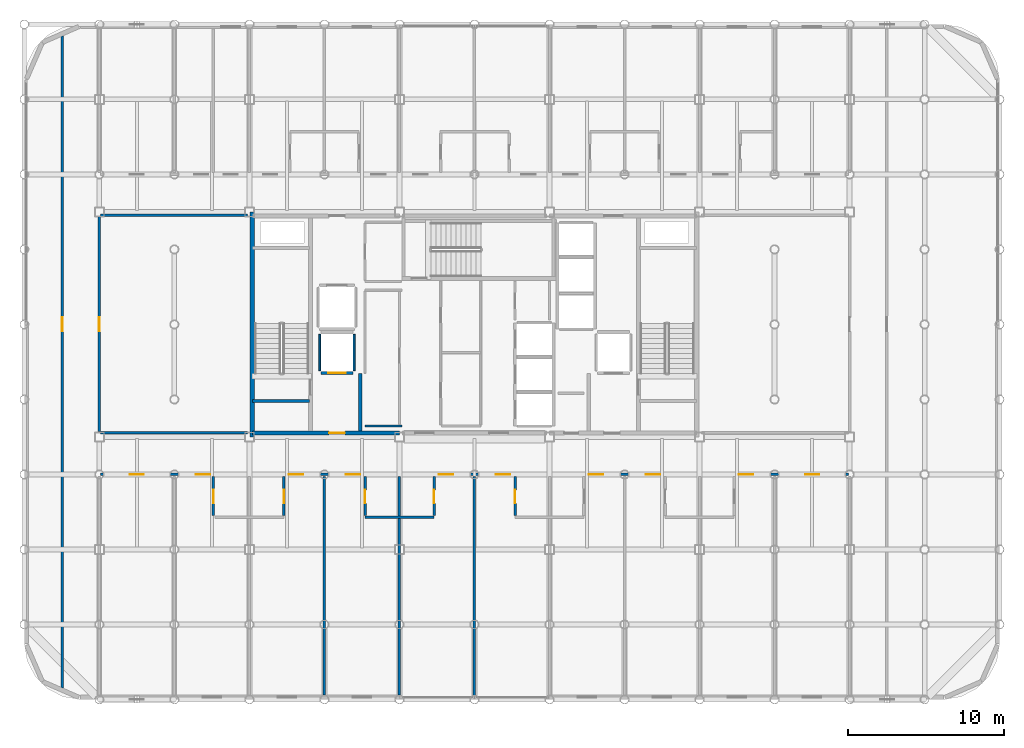
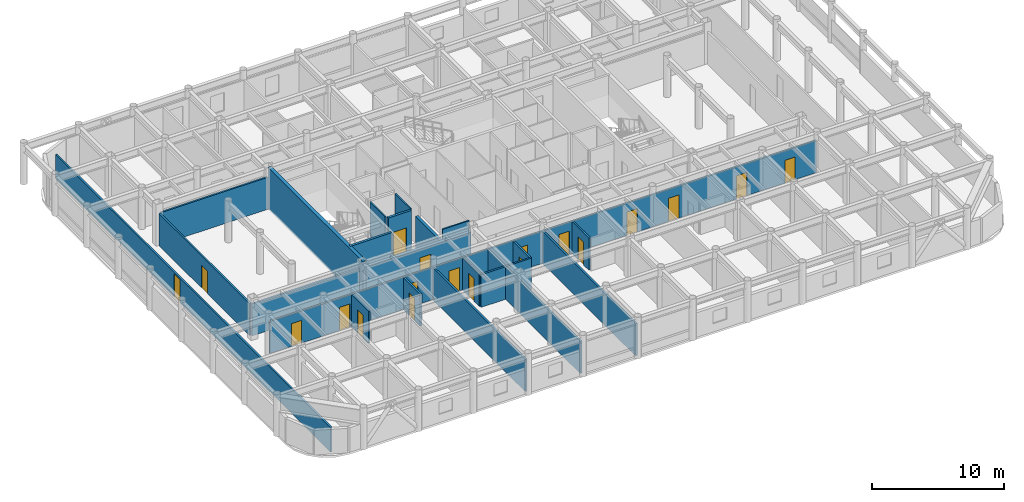
# One storey, part 17 of 22: 22 walls, 19 doors, 19 openings.
"""IFC4 building model written with IfcOpenShell, lengths in metres."""

from ifc_helpers import new_model, si_unit, direction, frame, frame_2d, origin, place, context, subcontext, project, spatial, rectangle, extrude, material, layer, layer_set, type_object, element, fill, save


model = new_model("IFC4")

# Units and contexts
model_context = context("Model", 3, precision=1e-05, world=origin(), true_north=direction((0.0, 1.0)))
body_context = subcontext(model_context, "Body", "Model", "MODEL_VIEW")
ifc_project = project(units=[si_unit("LENGTHUNIT", "METRE"), si_unit("AREAUNIT", "SQUARE_METRE"), si_unit("VOLUMEUNIT", "CUBIC_METRE"), si_unit("PLANEANGLEUNIT", "RADIAN"), si_unit("MASSUNIT", "GRAM", prefix="KILO")], contexts=[model_context])

# Site, building, storey
site_placement = place(None, origin())
site = spatial("IfcSite", under=ifc_project, at=site_placement, CompositionType="ELEMENT")
building_placement = place(site_placement, origin())
building = spatial("IfcBuilding", under=site, at=building_placement, Name="Kallvorn Hotel Tower", CompositionType="ELEMENT")
storey_placement = place(building_placement, frame((0.0, 0.0, 199.199951171875)))
storey = spatial("IfcBuildingStorey", under=building, at=storey_placement, Name="L49", CompositionType="ELEMENT", Elevation=199.199951171875)

# Walls
ifc_material_1 = material(Name="Concrete C50/60", Category="concrete")
ifc_layer_1 = layer(ifc_material_1, 0.300048828125)
ifc_layer_set_1 = layer_set([ifc_layer_1], Name="WL_CORE_300")
wall_type_1 = type_object("IfcWallType", Name="WL_CORE_300", PredefinedType="SHEAR", material=ifc_layer_set_1)
wall_1_placement = place(storey_placement, frame((-14.215087890625, -7.199951171875, -0.179931640625), z_axis=(0.0, 0.0, 1.0), x_axis=(0.0, 1.0, 0.0)))
element("IfcWall", 1, at=wall_1_placement, inside=storey, type_object=wall_type_1, Name="L49 Core West Shear Wall", PredefinedType="SHEAR", context=body_context, shape_type="SweptSolid", body=[
    extrude(rectangle(XDim=14.39990234375, YDim=0.300048828125, at=frame_2d((7.199951171875, 0.0))), origin(), (0.0, 0.0, 1.0), 3.85009765625),
])
ifc_material_2 = material(Name="Fire-rated double-layer acoustic gypsum drywall EI 60")
ifc_layer_2 = layer(ifc_material_2, 0.159912109375)
ifc_layer_set_2 = layer_set([ifc_layer_2], Name="WL_DEMISE_160")
wall_type_2 = type_object("IfcWallType", Name="WL_DEMISE_160", PredefinedType="PARTITIONING", material=ifc_layer_set_2)
wall_2_placement = place(storey_placement, frame((-7.010009765625, -12.320068359375, 0.0), z_axis=(0.0, 0.0, 1.0), x_axis=(1.0, 0.0, 0.0)))
element("IfcWall", 2, at=wall_2_placement, inside=storey, type_object=wall_type_2, Name="L49 Suite 4903 Superior Twin Room Partition", PredefinedType="PARTITIONING", context=body_context, shape_type="SweptSolid", body=[
    extrude(rectangle(XDim=4.419921875, YDim=0.159912109375, at=frame_2d((2.2099609375, 0.0))), origin(), (0.0, 0.0, 1.0), 3.02001953125),
])

# Wall, openings, doors
wall_3_placement = place(storey_placement, frame((-23.919921875, -9.60009765625, 0.0), z_axis=(0.0, 0.0, 1.0), x_axis=(1.0, 0.0, 0.0)))
wall_3 = element("IfcWall", 3, at=wall_3_placement, inside=storey, type_object=wall_type_2, Name="L49 Suite 4901 Superior Twin Room Partition", PredefinedType="PARTITIONING", context=body_context, shape_type="SweptSolid", body=[
    extrude(rectangle(XDim=47.83984375, YDim=0.159912109375, at=frame_2d((23.919921875, 0.0))), origin(), (0.0, 0.0, 1.0), 2.969970703125),
])
opening_1_placement = place(wall_3_placement, frame((1.8701171875, 0.0, 0.0)))
opening_1 = element("IfcOpeningElement", 4, at=opening_1_placement, cuts=wall_3, Name="Opening SVD1", PredefinedType="OPENING", context=body_context, shape_type="SweptSolid", body=[
    extrude(rectangle(XDim=0.89990234375, YDim=2.10009765625, at=frame_2d((0.449951171875, 1.050048828125))), frame((0.0, 0.094970703125, 0.0), z_axis=(0.0, -1.0, 0.0), x_axis=(1.0, 0.0, 0.0)), (0.0, 0.0, 1.0), 0.18994140625),
])
opening_2_placement = place(wall_3_placement, frame((45.070068359375, 0.0, 0.0)))
opening_2 = element("IfcOpeningElement", 5, at=opening_2_placement, cuts=wall_3, Name="Opening SVD1", PredefinedType="OPENING", context=body_context, shape_type="SweptSolid", body=[
    extrude(rectangle(XDim=0.89990234375, YDim=2.10009765625, at=frame_2d((0.449951171875, 1.050048828125))), frame((0.0, 0.094970703125, 0.0), z_axis=(0.0, -1.0, 0.0), x_axis=(1.0, 0.0, 0.0)), (0.0, 0.0, 1.0), 0.18994140625),
])
opening_3_placement = place(wall_3_placement, frame((6.090087890625, 0.0, 0.0)))
opening_3 = element("IfcOpeningElement", 6, at=opening_3_placement, cuts=wall_3, Name="Opening GD1", PredefinedType="OPENING", context=body_context, shape_type="SweptSolid", body=[
    extrude(rectangle(XDim=0.919921875, YDim=2.14990234375, at=frame_2d((0.4599609375, 1.074951171875))), frame((0.0, 0.094970703125, 0.0), z_axis=(0.0, -1.0, 0.0), x_axis=(1.0, 0.0, 0.0)), (0.0, 0.0, 1.0), 0.18994140625),
])
opening_4_placement = place(wall_3_placement, frame((12.030029296875, 0.0, 0.0)))
opening_4 = element("IfcOpeningElement", 7, at=opening_4_placement, cuts=wall_3, Name="Opening GD1", PredefinedType="OPENING", context=body_context, shape_type="SweptSolid", body=[
    extrude(rectangle(XDim=0.919921875, YDim=2.14990234375, at=frame_2d((0.4599609375, 1.074951171875))), frame((0.0, 0.094970703125, 0.0), z_axis=(0.0, -1.0, 0.0), x_axis=(1.0, 0.0, 0.0)), (0.0, 0.0, 1.0), 0.18994140625),
])
opening_5_placement = place(wall_3_placement, frame((15.68994140625, 0.0, 0.0)))
opening_5 = element("IfcOpeningElement", 8, at=opening_5_placement, cuts=wall_3, Name="Opening GD1", PredefinedType="OPENING", context=body_context, shape_type="SweptSolid", body=[
    extrude(rectangle(XDim=0.919921875, YDim=2.14990234375, at=frame_2d((0.4599609375, 1.074951171875))), frame((0.0, 0.094970703125, 0.0), z_axis=(0.0, -1.0, 0.0), x_axis=(1.0, 0.0, 0.0)), (0.0, 0.0, 1.0), 0.18994140625),
])
opening_6_placement = place(wall_3_placement, frame((21.6298828125, 0.0, 0.0)))
opening_6 = element("IfcOpeningElement", 9, at=opening_6_placement, cuts=wall_3, Name="Opening GD1", PredefinedType="OPENING", context=body_context, shape_type="SweptSolid", body=[
    extrude(rectangle(XDim=0.919921875, YDim=2.14990234375, at=frame_2d((0.4599609375, 1.074951171875))), frame((0.0, 0.094970703125, 0.0), z_axis=(0.0, -1.0, 0.0), x_axis=(1.0, 0.0, 0.0)), (0.0, 0.0, 1.0), 0.18994140625),
])
opening_7_placement = place(wall_3_placement, frame((25.2900390625, 0.0, 0.0)))
opening_7 = element("IfcOpeningElement", 10, at=opening_7_placement, cuts=wall_3, Name="Opening GD1", PredefinedType="OPENING", context=body_context, shape_type="SweptSolid", body=[
    extrude(rectangle(XDim=0.919921875, YDim=2.14990234375, at=frame_2d((0.4599609375, 1.074951171875))), frame((0.0, 0.094970703125, 0.0), z_axis=(0.0, -1.0, 0.0), x_axis=(1.0, 0.0, 0.0)), (0.0, 0.0, 1.0), 0.18994140625),
])
opening_8_placement = place(wall_3_placement, frame((31.22998046875, 0.0, 0.0)))
opening_8 = element("IfcOpeningElement", 11, at=opening_8_placement, cuts=wall_3, Name="Opening GD1", PredefinedType="OPENING", context=body_context, shape_type="SweptSolid", body=[
    extrude(rectangle(XDim=0.919921875, YDim=2.14990234375, at=frame_2d((0.4599609375, 1.074951171875))), frame((0.0, 0.094970703125, 0.0), z_axis=(0.0, -1.0, 0.0), x_axis=(1.0, 0.0, 0.0)), (0.0, 0.0, 1.0), 0.18994140625),
])
opening_9_placement = place(wall_3_placement, frame((34.889892578125, 0.0, 0.0)))
opening_9 = element("IfcOpeningElement", 12, at=opening_9_placement, cuts=wall_3, Name="Opening GD1", PredefinedType="OPENING", context=body_context, shape_type="SweptSolid", body=[
    extrude(rectangle(XDim=0.919921875, YDim=2.14990234375, at=frame_2d((0.4599609375, 1.074951171875))), frame((0.0, 0.094970703125, 0.0), z_axis=(0.0, -1.0, 0.0), x_axis=(1.0, 0.0, 0.0)), (0.0, 0.0, 1.0), 0.18994140625),
])
opening_10_placement = place(wall_3_placement, frame((40.830078125, 0.0, 0.0)))
opening_10 = element("IfcOpeningElement", 13, at=opening_10_placement, cuts=wall_3, Name="Opening GD1", PredefinedType="OPENING", context=body_context, shape_type="SweptSolid", body=[
    extrude(rectangle(XDim=0.919921875, YDim=2.14990234375, at=frame_2d((0.4599609375, 1.074951171875))), frame((0.0, 0.094970703125, 0.0), z_axis=(0.0, -1.0, 0.0), x_axis=(1.0, 0.0, 0.0)), (0.0, 0.0, 1.0), 0.18994140625),
])
ifc_material_3 = material(Name="Solid-core walnut veneer fire-rated timber door leaf", Category="wood")
door_type_1 = type_object("IfcDoorType", Name="DR_GUEST_920x2150", OperationType="NOTDEFINED", PredefinedType="DOOR", material=ifc_material_3)
door_1_placement = place(opening_3_placement, origin())
door_1 = element("IfcDoor", 14, at=door_1_placement, inside=storey, type_object=door_type_1, Name="L49 Suite 4901 Superior Twin Room Door", OperationType="SINGLE_SWING_RIGHT", OverallHeight=2.14990234375, OverallWidth=0.919921875, PredefinedType="DOOR", context=body_context, shape_type="SweptSolid", body=[
    extrude(rectangle(XDim=0.919921875, YDim=2.14990234375, at=frame_2d((0.4599609375, 1.074951171875))), frame((0.0, 0.02490234375, 0.0), z_axis=(0.0, -1.0, 0.0), x_axis=(1.0, 0.0, 0.0)), (0.0, 0.0, 1.0), 0.050048828125),
])
fill(opening_3, door_1)
door_2_placement = place(opening_4_placement, origin())
door_2 = element("IfcDoor", 15, at=door_2_placement, inside=storey, type_object=door_type_1, Name="L49 Suite 4902 Superior Twin Room Door", OperationType="SINGLE_SWING_LEFT", OverallHeight=2.14990234375, OverallWidth=0.919921875, PredefinedType="DOOR", context=body_context, shape_type="SweptSolid", body=[
    extrude(rectangle(XDim=0.919921875, YDim=2.14990234375, at=frame_2d((0.4599609375, 1.074951171875))), frame((0.0, 0.02490234375, 0.0), z_axis=(0.0, -1.0, 0.0), x_axis=(1.0, 0.0, 0.0)), (0.0, 0.0, 1.0), 0.050048828125),
])
fill(opening_4, door_2)
door_3_placement = place(opening_5_placement, origin())
door_3 = element("IfcDoor", 16, at=door_3_placement, inside=storey, type_object=door_type_1, Name="L49 Suite 4903 Superior Twin Room Door", OperationType="SINGLE_SWING_LEFT", OverallHeight=2.14990234375, OverallWidth=0.919921875, PredefinedType="DOOR", context=body_context, shape_type="SweptSolid", body=[
    extrude(rectangle(XDim=0.919921875, YDim=2.14990234375, at=frame_2d((0.4599609375, 1.074951171875))), frame((0.0, 0.02490234375, 0.0), z_axis=(0.0, -1.0, 0.0), x_axis=(1.0, 0.0, 0.0)), (0.0, 0.0, 1.0), 0.050048828125),
])
fill(opening_5, door_3)
door_4_placement = place(opening_6_placement, origin())
door_4 = element("IfcDoor", 17, at=door_4_placement, inside=storey, type_object=door_type_1, Name="L49 Suite 4904 Superior Twin Room Door", OperationType="SINGLE_SWING_RIGHT", OverallHeight=2.14990234375, OverallWidth=0.919921875, PredefinedType="DOOR", context=body_context, shape_type="SweptSolid", body=[
    extrude(rectangle(XDim=0.919921875, YDim=2.14990234375, at=frame_2d((0.4599609375, 1.074951171875))), frame((0.0, 0.02490234375, 0.0), z_axis=(0.0, -1.0, 0.0), x_axis=(1.0, 0.0, 0.0)), (0.0, 0.0, 1.0), 0.050048828125),
])
fill(opening_6, door_4)
door_5_placement = place(opening_7_placement, origin())
door_5 = element("IfcDoor", 18, at=door_5_placement, inside=storey, type_object=door_type_1, Name="L49 Suite 4905 Superior Twin Room Door", OperationType="SINGLE_SWING_LEFT", OverallHeight=2.14990234375, OverallWidth=0.919921875, PredefinedType="DOOR", context=body_context, shape_type="SweptSolid", body=[
    extrude(rectangle(XDim=0.919921875, YDim=2.14990234375, at=frame_2d((0.4599609375, 1.074951171875))), frame((0.0, 0.02490234375, 0.0), z_axis=(0.0, -1.0, 0.0), x_axis=(1.0, 0.0, 0.0)), (0.0, 0.0, 1.0), 0.050048828125),
])
fill(opening_7, door_5)
door_6_placement = place(opening_8_placement, origin())
door_6 = element("IfcDoor", 19, at=door_6_placement, inside=storey, type_object=door_type_1, Name="L49 Suite 4906 Superior Twin Room Door", OperationType="SINGLE_SWING_RIGHT", OverallHeight=2.14990234375, OverallWidth=0.919921875, PredefinedType="DOOR", context=body_context, shape_type="SweptSolid", body=[
    extrude(rectangle(XDim=0.919921875, YDim=2.14990234375, at=frame_2d((0.4599609375, 1.074951171875))), frame((0.0, 0.02490234375, 0.0), z_axis=(0.0, -1.0, 0.0), x_axis=(1.0, 0.0, 0.0)), (0.0, 0.0, 1.0), 0.050048828125),
])
fill(opening_8, door_6)
door_7_placement = place(opening_9_placement, origin())
door_7 = element("IfcDoor", 20, at=door_7_placement, inside=storey, type_object=door_type_1, Name="L49 Suite 4907 Superior Twin Room Door", OperationType="SINGLE_SWING_LEFT", OverallHeight=2.14990234375, OverallWidth=0.919921875, PredefinedType="DOOR", context=body_context, shape_type="SweptSolid", body=[
    extrude(rectangle(XDim=0.919921875, YDim=2.14990234375, at=frame_2d((0.4599609375, 1.074951171875))), frame((0.0, 0.02490234375, 0.0), z_axis=(0.0, -1.0, 0.0), x_axis=(1.0, 0.0, 0.0)), (0.0, 0.0, 1.0), 0.050048828125),
])
fill(opening_9, door_7)
door_8_placement = place(opening_10_placement, origin())
door_8 = element("IfcDoor", 21, at=door_8_placement, inside=storey, type_object=door_type_1, Name="L49 Suite 4908 Superior Twin Room Door", OperationType="SINGLE_SWING_LEFT", OverallHeight=2.14990234375, OverallWidth=0.919921875, PredefinedType="DOOR", context=body_context, shape_type="SweptSolid", body=[
    extrude(rectangle(XDim=0.919921875, YDim=2.14990234375, at=frame_2d((0.4599609375, 1.074951171875))), frame((0.0, 0.02490234375, 0.0), z_axis=(0.0, -1.0, 0.0), x_axis=(1.0, 0.0, 0.0)), (0.0, 0.0, 1.0), 0.050048828125),
])
fill(opening_10, door_8)
ifc_material_4 = material(Name="Galvanised painted steel fire-rated door assembly", Category="steel")
door_type_2 = type_object("IfcDoorType", Name="DR_SERV_900x2100", OperationType="NOTDEFINED", PredefinedType="DOOR", material=ifc_material_4)
door_9_placement = place(opening_1_placement, origin())
door_9 = element("IfcDoor", 22, at=door_9_placement, inside=storey, type_object=door_type_2, Name="L49 L49 High-Zone South-West Tea Bar Door", OperationType="SINGLE_SWING_RIGHT", OverallHeight=2.10009765625, OverallWidth=0.89990234375, PredefinedType="DOOR", context=body_context, shape_type="SweptSolid", body=[
    extrude(rectangle(XDim=0.89990234375, YDim=2.10009765625, at=frame_2d((0.449951171875, 1.050048828125))), frame((0.0, 0.02490234375, 0.0), z_axis=(0.0, -1.0, 0.0), x_axis=(1.0, 0.0, 0.0)), (0.0, 0.0, 1.0), 0.050048828125),
])
fill(opening_1, door_9)
door_10_placement = place(opening_2_placement, origin())
door_10 = element("IfcDoor", 23, at=door_10_placement, inside=storey, type_object=door_type_2, Name="L49 L49 High-Zone South-East Wine Bar Door", OperationType="SINGLE_SWING_RIGHT", OverallHeight=2.10009765625, OverallWidth=0.89990234375, PredefinedType="DOOR", context=body_context, shape_type="SweptSolid", body=[
    extrude(rectangle(XDim=0.89990234375, YDim=2.10009765625, at=frame_2d((0.449951171875, 1.050048828125))), frame((0.0, 0.02490234375, 0.0), z_axis=(0.0, -1.0, 0.0), x_axis=(1.0, 0.0, 0.0)), (0.0, 0.0, 1.0), 0.050048828125),
])
fill(opening_2, door_10)

# Wall, opening, door
wall_4_placement = place(storey_placement, frame((-16.705078125, -12.235107421875, 0.0), z_axis=(0.0, 0.0, 1.0), x_axis=(0.0, 1.0, 0.0)))
wall_4 = element("IfcWall", 24, at=wall_4_placement, inside=storey, type_object=wall_type_2, Name="L49 Suite 4901 Superior Twin Room Partition", PredefinedType="PARTITIONING", context=body_context, shape_type="SweptSolid", body=[
    extrude(rectangle(XDim=2.51513671875, YDim=0.159912109375, at=frame_2d((1.257568359375, 0.0))), origin(), (0.0, 0.0, 1.0), 2.969970703125),
])
opening_11_placement = place(wall_4_placement, frame((0.784912109375, 0.0, 0.0)))
opening_11 = element("IfcOpeningElement", 25, at=opening_11_placement, cuts=wall_4, Name="Opening BD-I", PredefinedType="OPENING", context=body_context, shape_type="SweptSolid", body=[
    extrude(rectangle(XDim=0.860107421875, YDim=2.10009765625, at=frame_2d((0.43017578125, 1.050048828125))), frame((0.0, 0.094970703125, 0.0), z_axis=(0.0, -1.0, 0.0), x_axis=(1.0, 0.0, 0.0)), (0.0, 0.0, 1.0), 0.18994140625),
])
ifc_material_5 = material(Name="Solid-core walnut veneer fire-rated timber door leaf", Category="wood")
door_type_3 = type_object("IfcDoorType", Name="DR_BATH_860x2100", OperationType="NOTDEFINED", PredefinedType="DOOR", material=ifc_material_5)
door_11_placement = place(opening_11_placement, origin())
door_11 = element("IfcDoor", 26, at=door_11_placement, inside=storey, type_object=door_type_3, Name="L49 Suite 4901 En-Suite Bathroom Door", OperationType="SINGLE_SWING_RIGHT", OverallHeight=2.10009765625, OverallWidth=0.860107421875, PredefinedType="DOOR", context=body_context, shape_type="SweptSolid", body=[
    extrude(rectangle(XDim=0.860107421875, YDim=2.10009765625, at=frame_2d((0.43017578125, 1.050048828125))), frame((0.0, 0.02490234375, 0.0), z_axis=(0.0, -1.0, 0.0), x_axis=(1.0, 0.0, 0.0)), (0.0, 0.0, 1.0), 0.050048828125),
])
fill(opening_11, door_11)

wall_5_placement = place(storey_placement, frame((-12.18994140625, -12.235107421875, 0.0), z_axis=(0.0, 0.0, 1.0), x_axis=(0.0, 1.0, 0.0)))
wall_5 = element("IfcWall", 27, at=wall_5_placement, inside=storey, type_object=wall_type_2, Name="L49 Suite 4902 Superior Twin Room Partition", PredefinedType="PARTITIONING", context=body_context, shape_type="SweptSolid", body=[
    extrude(rectangle(XDim=2.51513671875, YDim=0.159912109375, at=frame_2d((1.257568359375, 0.0))), origin(), (0.0, 0.0, 1.0), 2.969970703125),
])
opening_12_placement = place(wall_5_placement, frame((0.784912109375, 0.0, 0.0)))
opening_12 = element("IfcOpeningElement", 28, at=opening_12_placement, cuts=wall_5, Name="Opening BD-I", PredefinedType="OPENING", context=body_context, shape_type="SweptSolid", body=[
    extrude(rectangle(XDim=0.860107421875, YDim=2.10009765625, at=frame_2d((0.43017578125, 1.050048828125))), frame((0.0, 0.094970703125, 0.0), z_axis=(0.0, -1.0, 0.0), x_axis=(1.0, 0.0, 0.0)), (0.0, 0.0, 1.0), 0.18994140625),
])
door_12_placement = place(opening_12_placement, origin())
door_12 = element("IfcDoor", 29, at=door_12_placement, inside=storey, type_object=door_type_3, Name="L49 Suite 4902 En-Suite Bathroom Door", OperationType="SINGLE_SWING_LEFT", OverallHeight=2.10009765625, OverallWidth=0.860107421875, PredefinedType="DOOR", context=body_context, shape_type="SweptSolid", body=[
    extrude(rectangle(XDim=0.860107421875, YDim=2.10009765625, at=frame_2d((0.43017578125, 1.050048828125))), frame((0.0, 0.02490234375, 0.0), z_axis=(0.0, -1.0, 0.0), x_axis=(1.0, 0.0, 0.0)), (0.0, 0.0, 1.0), 0.050048828125),
])
fill(opening_12, door_12)

# Wall
wall_6_placement = place(storey_placement, frame((-9.60009765625, -23.7099609375, 0.0), z_axis=(0.0, 0.0, 1.0), x_axis=(0.0, 1.0, 0.0)))
element("IfcWall", 30, at=wall_6_placement, inside=storey, type_object=wall_type_2, Name="L49 Suite 4902 Superior Twin Room Partition", PredefinedType="PARTITIONING", context=body_context, shape_type="SweptSolid", body=[
    extrude(rectangle(XDim=13.989990234375, YDim=0.159912109375, at=frame_2d((6.9951171875, 0.0))), origin(), (0.0, 0.0, 1.0), 2.969970703125),
])

# Wall, opening, door
wall_7_placement = place(storey_placement, frame((-7.0048828125, -12.235107421875, 0.0), z_axis=(0.0, 0.0, 1.0), x_axis=(0.0, 1.0, 0.0)))
wall_7 = element("IfcWall", 31, at=wall_7_placement, inside=storey, type_object=wall_type_2, Name="L49 Suite 4903 Superior Twin Room Partition", PredefinedType="PARTITIONING", context=body_context, shape_type="SweptSolid", body=[
    extrude(rectangle(XDim=2.51513671875, YDim=0.159912109375, at=frame_2d((1.257568359375, 0.0))), origin(), (0.0, 0.0, 1.0), 2.969970703125),
])
opening_13_placement = place(wall_7_placement, frame((0.784912109375, 0.0, 0.0)))
opening_13 = element("IfcOpeningElement", 32, at=opening_13_placement, cuts=wall_7, Name="Opening BD-I", PredefinedType="OPENING", context=body_context, shape_type="SweptSolid", body=[
    extrude(rectangle(XDim=0.860107421875, YDim=2.10009765625, at=frame_2d((0.43017578125, 1.050048828125))), frame((0.0, 0.094970703125, 0.0), z_axis=(0.0, -1.0, 0.0), x_axis=(1.0, 0.0, 0.0)), (0.0, 0.0, 1.0), 0.18994140625),
])
door_13_placement = place(opening_13_placement, origin())
door_13 = element("IfcDoor", 33, at=door_13_placement, inside=storey, type_object=door_type_3, Name="L49 Suite 4903 En-Suite Bathroom Door", OperationType="SINGLE_SWING_RIGHT", OverallHeight=2.10009765625, OverallWidth=0.860107421875, PredefinedType="DOOR", context=body_context, shape_type="SweptSolid", body=[
    extrude(rectangle(XDim=0.860107421875, YDim=2.10009765625, at=frame_2d((0.43017578125, 1.050048828125))), frame((0.0, 0.02490234375, 0.0), z_axis=(0.0, -1.0, 0.0), x_axis=(1.0, 0.0, 0.0)), (0.0, 0.0, 1.0), 0.050048828125),
])
fill(opening_13, door_13)

# Wall
wall_8_placement = place(storey_placement, frame((-4.800048828125, -23.7099609375, 0.0), z_axis=(0.0, 0.0, 1.0), x_axis=(0.0, 1.0, 0.0)))
element("IfcWall", 34, at=wall_8_placement, inside=storey, type_object=wall_type_2, Name="L49 Suite 4903 Superior Twin Room Partition", PredefinedType="PARTITIONING", context=body_context, shape_type="SweptSolid", body=[
    extrude(rectangle(XDim=13.989990234375, YDim=0.159912109375, at=frame_2d((6.9951171875, 0.0))), origin(), (0.0, 0.0, 1.0), 2.969970703125),
])

# Wall, opening, door
wall_9_placement = place(storey_placement, frame((-2.590087890625, -12.235107421875, 0.0), z_axis=(0.0, 0.0, 1.0), x_axis=(0.0, 1.0, 0.0)))
wall_9 = element("IfcWall", 35, at=wall_9_placement, inside=storey, type_object=wall_type_2, Name="L49 Suite 4904 Superior Twin Room Partition", PredefinedType="PARTITIONING", context=body_context, shape_type="SweptSolid", body=[
    extrude(rectangle(XDim=2.51513671875, YDim=0.159912109375, at=frame_2d((1.257568359375, 0.0))), origin(), (0.0, 0.0, 1.0), 2.969970703125),
])
opening_14_placement = place(wall_9_placement, frame((0.784912109375, 0.0, 0.0)))
opening_14 = element("IfcOpeningElement", 36, at=opening_14_placement, cuts=wall_9, Name="Opening BD-I", PredefinedType="OPENING", context=body_context, shape_type="SweptSolid", body=[
    extrude(rectangle(XDim=0.860107421875, YDim=2.10009765625, at=frame_2d((0.43017578125, 1.050048828125))), frame((0.0, 0.094970703125, 0.0), z_axis=(0.0, -1.0, 0.0), x_axis=(1.0, 0.0, 0.0)), (0.0, 0.0, 1.0), 0.18994140625),
])
door_14_placement = place(opening_14_placement, origin())
door_14 = element("IfcDoor", 37, at=door_14_placement, inside=storey, type_object=door_type_3, Name="L49 Suite 4904 En-Suite Bathroom Door", OperationType="SINGLE_SWING_LEFT", OverallHeight=2.10009765625, OverallWidth=0.860107421875, PredefinedType="DOOR", context=body_context, shape_type="SweptSolid", body=[
    extrude(rectangle(XDim=0.860107421875, YDim=2.10009765625, at=frame_2d((0.43017578125, 1.050048828125))), frame((0.0, 0.02490234375, 0.0), z_axis=(0.0, -1.0, 0.0), x_axis=(1.0, 0.0, 0.0)), (0.0, 0.0, 1.0), 0.050048828125),
])
fill(opening_14, door_14)

# Wall
wall_10_placement = place(storey_placement, frame((0.0, -23.794921875, 0.0), z_axis=(0.0, 0.0, 1.0), x_axis=(0.0, 1.0, 0.0)))
element("IfcWall", 38, at=wall_10_placement, inside=storey, type_object=wall_type_2, Name="L49 Suite 4904 Superior Twin Room Partition", PredefinedType="PARTITIONING", context=body_context, shape_type="SweptSolid", body=[
    extrude(rectangle(XDim=14.074951171875, YDim=0.159912109375, at=frame_2d((7.03759765625, 0.0))), origin(), (0.0, 0.0, 1.0), 2.969970703125),
])

# Wall, opening, door
wall_11_placement = place(storey_placement, frame((2.59326171875, -12.235107421875, 0.0), z_axis=(0.0, 0.0, 1.0), x_axis=(0.0, 1.0, 0.0)))
wall_11 = element("IfcWall", 39, at=wall_11_placement, inside=storey, type_object=wall_type_2, Name="L49 Suite 4905 Superior Twin Room Partition", PredefinedType="PARTITIONING", context=body_context, shape_type="SweptSolid", body=[
    extrude(rectangle(XDim=2.51513671875, YDim=0.159912109375, at=frame_2d((1.257568359375, 0.0))), origin(), (0.0, 0.0, 1.0), 2.969970703125),
])
opening_15_placement = place(wall_11_placement, frame((0.784912109375, 0.0, 0.0)))
opening_15 = element("IfcOpeningElement", 40, at=opening_15_placement, cuts=wall_11, Name="Opening BD-I", PredefinedType="OPENING", context=body_context, shape_type="SweptSolid", body=[
    extrude(rectangle(XDim=0.860107421875, YDim=2.10009765625, at=frame_2d((0.43017578125, 1.050048828125))), frame((0.0, 0.094970703125, 0.0), z_axis=(0.0, -1.0, 0.0), x_axis=(1.0, 0.0, 0.0)), (0.0, 0.0, 1.0), 0.18994140625),
])
door_15_placement = place(opening_15_placement, origin())
door_15 = element("IfcDoor", 41, at=door_15_placement, inside=storey, type_object=door_type_3, Name="L49 Suite 4905 En-Suite Bathroom Door", OperationType="SINGLE_SWING_LEFT", OverallHeight=2.10009765625, OverallWidth=0.860107421875, PredefinedType="DOOR", context=body_context, shape_type="SweptSolid", body=[
    extrude(rectangle(XDim=0.860107421875, YDim=2.10009765625, at=frame_2d((0.43017578125, 1.050048828125))), frame((0.0, 0.02490234375, 0.0), z_axis=(0.0, -1.0, 0.0), x_axis=(1.0, 0.0, 0.0)), (0.0, 0.0, 1.0), 0.050048828125),
])
fill(opening_15, door_15)

# Walls
ifc_material_6 = material(Name="Concrete C40/50", Category="concrete")
ifc_layer_3 = layer(ifc_material_6, 0.219970703125)
ifc_layer_set_3 = layer_set([ifc_layer_3], Name="WL_FFL_220")
wall_type_3 = type_object("IfcWallType", Name="WL_FFL_220", PredefinedType="SOLIDWALL", material=ifc_layer_set_3)
wall_12_placement = place(storey_placement, frame((-7.300048828125, -6.820068359375, 0.0), z_axis=(0.0, 0.0, 1.0), x_axis=(0.0, 1.0, 0.0)))
element("IfcWall", 42, at=wall_12_placement, inside=storey, type_object=wall_type_3, Name="L49 Firefighting Lobby West Divider Wall", PredefinedType="SOLIDWALL", context=body_context, shape_type="SweptSolid", body=[
    extrude(rectangle(XDim=3.670166015625, YDim=0.219970703125, at=frame_2d((1.8349609375, 0.0))), origin(), (0.0, 0.0, 1.0), 2.969970703125),
])
ifc_material_7 = material(Name="Concrete C40/50", Category="concrete")
ifc_layer_4 = layer(ifc_material_7, 0.199951171875)
ifc_layer_set_4 = layer_set([ifc_layer_4], Name="WL_HOIST_200")
wall_type_4 = type_object("IfcWallType", Name="WL_HOIST_200", PredefinedType="SOLIDWALL", material=ifc_layer_set_4)
wall_13_placement = place(storey_placement, frame((-14.199951171875, -4.89990234375, -0.179931640625), z_axis=(0.0, 0.0, 1.0), x_axis=(1.0, 0.0, 0.0)))
element("IfcWall", 43, at=wall_13_placement, inside=storey, type_object=wall_type_4, Name="L49 Stair ST1 South Wall", PredefinedType="SOLIDWALL", context=body_context, shape_type="SweptSolid", body=[
    extrude(rectangle(XDim=3.64990234375, YDim=0.199951171875, at=frame_2d((1.824951171875, 0.0))), origin(), (0.0, 0.0, 1.0), 3.85009765625),
])

# Wall, opening, door
wall_14_placement = place(storey_placement, frame((-9.820068359375, -3.10009765625, 0.0), z_axis=(0.0, 0.0, 1.0), x_axis=(1.0, 0.0, 0.0)))
wall_14 = element("IfcWall", 44, at=wall_14_placement, inside=storey, type_object=wall_type_4, Name="L49 FL-1 Landing Wall", PredefinedType="SOLIDWALL", context=body_context, shape_type="SweptSolid", body=[
    extrude(rectangle(XDim=2.0400390625, YDim=0.199951171875, at=frame_2d((1.02001953125, 0.0))), origin(), (0.0, 0.0, 1.0), 3.670166015625),
])
opening_16_placement = place(wall_14_placement, frame((0.469970703125, 0.0, 0.0)))
opening_16 = element("IfcOpeningElement", 45, at=opening_16_placement, cuts=wall_14, Name="Opening LD-FL-1", PredefinedType="OPENING", context=body_context, shape_type="SweptSolid", body=[
    extrude(rectangle(XDim=1.10009765625, YDim=2.199951171875, at=frame_2d((0.550048828125, 1.10009765625))), frame((0.0, 0.114990234375, 0.0), z_axis=(0.0, -1.0, 0.0), x_axis=(1.0, 0.0, 0.0)), (0.0, 0.0, 1.0), 0.22998046875),
])
ifc_material_8 = material(Name="Brushed stainless-steel automatic sliding lift landing door", Category="steel")
door_type_4 = type_object("IfcDoorType", Name="LD_PASS_1100x2200", OperationType="SLIDING_TO_LEFT", PredefinedType="DOOR", material=ifc_material_8)
door_16_placement = place(opening_16_placement, origin())
door_16 = element("IfcDoor", 46, at=door_16_placement, inside=storey, type_object=door_type_4, Name="L49 Lift Landing Sliding Door LD-FL-1", OperationType="SLIDING_TO_LEFT", OverallHeight=2.199951171875, OverallWidth=1.10009765625, PredefinedType="DOOR", context=body_context, shape_type="SweptSolid", body=[
    extrude(rectangle(XDim=1.10009765625, YDim=2.199951171875, at=frame_2d((0.550048828125, 1.10009765625))), frame((0.0, 0.02490234375, 0.0), z_axis=(0.0, -1.0, 0.0), x_axis=(1.0, 0.0, 0.0)), (0.0, 0.0, 1.0), 0.050048828125),
])
fill(opening_16, door_16)

# Walls
ifc_material_9 = material(Name="Fire-rated double-layer acoustic gypsum drywall EI 60")
ifc_layer_5 = layer(ifc_material_9, 0.1201171875)
ifc_layer_set_5 = layer_set([ifc_layer_5], Name="WL_INT_120")
wall_type_5 = type_object("IfcWallType", Name="WL_INT_120", PredefinedType="PARTITIONING", material=ifc_layer_set_5)
for number, where, z_axis, x_axis, name in (
    (47, (-9.89990234375, -2.9599609375, 0.0), (0.0, 0.0, 1.0), (0.0, 1.0, 0.0), "L49 FL-1 West Shaft Wall"),
    (48, (-7.699951171875, -2.9599609375, 0.0), (0.0, 0.0, 1.0), (0.0, 1.0, 0.0), "L49 FL-1 East Shaft Wall"),
):
    element("IfcWall", number, at=place(storey_placement, frame(where, z_axis=z_axis, x_axis=x_axis)), inside=storey, type_object=wall_type_5, Name=name, PredefinedType="PARTITIONING", context=body_context, shape_type="SweptSolid", body=[
        extrude(rectangle(XDim=2.320068359375, YDim=0.1201171875, at=frame_2d((1.16015625, 0.0))), origin(), (0.0, 0.0, 1.0), 3.670166015625),
    ])
wall_15_placement = place(storey_placement, frame((-7.0, -6.5, 0.0), z_axis=(0.0, 0.0, 1.0), x_axis=(1.0, 0.0, 0.0)))
element("IfcWall", 49, at=wall_15_placement, inside=storey, type_object=wall_type_5, Name="L49 Recaptured Butler and Room-Service Pantry Partition", PredefinedType="PARTITIONING", context=body_context, shape_type="SweptSolid", body=[
    extrude(rectangle(XDim=2.35009765625, YDim=0.1201171875, at=frame_2d((1.175048828125, 0.0))), origin(), (0.0, 0.0, 1.0), 3.670166015625),
])
ifc_material_10 = material(Name="Fire-rated double-layer acoustic gypsum drywall EI 60")
ifc_layer_6 = layer(ifc_material_10, 0.14990234375)
ifc_layer_set_6 = layer_set([ifc_layer_6], Name="WL_PART_150")
wall_type_6 = type_object("IfcWallType", Name="WL_PART_150", PredefinedType="PARTITIONING", material=ifc_layer_set_6)
for number, where, z_axis, x_axis, name in (
    (50, (-23.919921875, -6.919921875, 0.0), (0.0, 0.0, 1.0), (1.0, 0.0, 0.0), "L49 L49 High-Zone Inner West Club Bar Partition"),
    (51, (-23.919921875, 6.97998046875, 0.0), (0.0, 0.0, 1.0), (1.0, 0.0, 0.0), "L49 L49 High-Zone Inner West Club Bar Partition"),
):
    element("IfcWall", number, at=place(storey_placement, frame(where, z_axis=z_axis, x_axis=x_axis)), inside=storey, type_object=wall_type_6, Name=name, PredefinedType="PARTITIONING", context=body_context, shape_type="SweptSolid", body=[
        extrude(rectangle(XDim=9.39990234375, YDim=0.14990234375, at=frame_2d((4.699951171875, 0.0))), origin(), (0.0, 0.0, 1.0), 2.969970703125),
    ])

# Wall, opening, door
wall_16_placement = place(storey_placement, frame((-26.3798828125, -23.247314453125, 0.0), z_axis=(0.0, 0.0, 1.0), x_axis=(0.0, 1.0, 0.0)))
wall_16 = element("IfcWall", 52, at=wall_16_placement, inside=storey, type_object=wall_type_6, Name="L49 L49 Outer West Sky Observatory Salon Partition", PredefinedType="PARTITIONING", context=body_context, shape_type="SweptSolid", body=[
    extrude(rectangle(XDim=41.694580078125, YDim=0.14990234375, at=frame_2d((20.84716796875, 0.0))), origin(), (0.0, 0.0, 1.0), 2.27001953125),
])
opening_17_placement = place(wall_16_placement, frame((22.79736328125, 0.0, 0.0)))
opening_17 = element("IfcOpeningElement", 53, at=opening_17_placement, cuts=wall_16, Name="Opening SVD1", PredefinedType="OPENING", context=body_context, shape_type="SweptSolid", body=[
    extrude(rectangle(XDim=0.89990234375, YDim=2.10009765625, at=frame_2d((0.449951171875, 1.050048828125))), frame((0.0, 0.08984375, 0.0), z_axis=(0.0, -1.0, 0.0), x_axis=(1.0, 0.0, 0.0)), (0.0, 0.0, 1.0), 0.179931640625),
])
door_17_placement = place(opening_17_placement, origin())
door_17 = element("IfcDoor", 54, at=door_17_placement, inside=storey, type_object=door_type_2, Name="L49 L49 Outer West Sky Observatory Salon Door", OperationType="SINGLE_SWING_RIGHT", OverallHeight=2.10009765625, OverallWidth=0.89990234375, PredefinedType="DOOR", context=body_context, shape_type="SweptSolid", body=[
    extrude(rectangle(XDim=0.89990234375, YDim=2.10009765625, at=frame_2d((0.449951171875, 1.050048828125))), frame((0.0, 0.02490234375, 0.0), z_axis=(0.0, -1.0, 0.0), x_axis=(1.0, 0.0, 0.0)), (0.0, 0.0, 1.0), 0.050048828125),
])
fill(opening_17, door_17)

wall_17_placement = place(storey_placement, frame((-24.0, -6.8349609375, 0.0), z_axis=(0.0, 0.0, 1.0), x_axis=(0.0, 1.0, 0.0)))
wall_17 = element("IfcWall", 55, at=wall_17_placement, inside=storey, type_object=wall_type_6, Name="L49 L49 High-Zone Inner West Club Bar Partition", PredefinedType="PARTITIONING", context=body_context, shape_type="SweptSolid", body=[
    extrude(rectangle(XDim=13.72998046875, YDim=0.14990234375, at=frame_2d((6.864990234375, 0.0))), origin(), (0.0, 0.0, 1.0), 2.969970703125),
])
opening_18_placement = place(wall_17_placement, frame((6.385009765625, 0.0, 0.0)))
opening_18 = element("IfcOpeningElement", 56, at=opening_18_placement, cuts=wall_17, Name="Opening SVD1", PredefinedType="OPENING", context=body_context, shape_type="SweptSolid", body=[
    extrude(rectangle(XDim=0.89990234375, YDim=2.10009765625, at=frame_2d((0.449951171875, 1.050048828125))), frame((0.0, 0.08984375, 0.0), z_axis=(0.0, -1.0, 0.0), x_axis=(1.0, 0.0, 0.0)), (0.0, 0.0, 1.0), 0.179931640625),
])
door_18_placement = place(opening_18_placement, origin())
door_18 = element("IfcDoor", 57, at=door_18_placement, inside=storey, type_object=door_type_2, Name="L49 L49 High-Zone Inner West Club Bar Door", OperationType="SINGLE_SWING_LEFT", OverallHeight=2.10009765625, OverallWidth=0.89990234375, PredefinedType="DOOR", context=body_context, shape_type="SweptSolid", body=[
    extrude(rectangle(XDim=0.89990234375, YDim=2.10009765625, at=frame_2d((0.449951171875, 1.050048828125))), frame((0.0, 0.02490234375, 0.0), z_axis=(0.0, -1.0, 0.0), x_axis=(1.0, 0.0, 0.0)), (0.0, 0.0, 1.0), 0.050048828125),
])
fill(opening_18, door_18)

ifc_material_11 = material(Name="Concrete C40/50", Category="concrete")
ifc_layer_7 = layer(ifc_material_11, 0.25)
ifc_layer_set_7 = layer_set([ifc_layer_7], Name="WL_SHAFT_250")
wall_type_7 = type_object("IfcWallType", Name="WL_SHAFT_250", PredefinedType="SOLIDWALL", material=ifc_layer_set_7)
wall_18_placement = place(storey_placement, frame((-14.199951171875, -6.949951171875, 0.0), z_axis=(0.0, 0.0, 1.0), x_axis=(1.0, 0.0, 0.0)))
wall_18 = element("IfcWall", 58, at=wall_18_placement, inside=storey, type_object=wall_type_7, Name="L49 Core South-West Wall", PredefinedType="SOLIDWALL", context=body_context, shape_type="SweptSolid", body=[
    extrude(rectangle(XDim=9.39990234375, YDim=0.25, at=frame_2d((4.699951171875, 0.0))), origin(), (0.0, 0.0, 1.0), 2.969970703125),
])
opening_19_placement = place(wall_18_placement, frame((4.89990234375, 0.0, 0.0)))
opening_19 = element("IfcOpeningElement", 59, at=opening_19_placement, cuts=wall_18, Name="Opening FD1", PredefinedType="OPENING", context=body_context, shape_type="SweptSolid", body=[
    extrude(rectangle(XDim=1.0, YDim=2.14990234375, at=frame_2d((0.5, 1.074951171875))), frame((0.0, 0.139892578125, 0.0), z_axis=(0.0, -1.0, 0.0), x_axis=(1.0, 0.0, 0.0)), (0.0, 0.0, 1.0), 0.280029296875),
])
ifc_material_12 = material(Name="Galvanised painted steel fire-rated door assembly", Category="steel")
door_type_5 = type_object("IfcDoorType", Name="DR_FFL_1000x2150", OperationType="NOTDEFINED", PredefinedType="DOOR", material=ifc_material_12)
door_19_placement = place(opening_19_placement, origin())
door_19 = element("IfcDoor", 60, at=door_19_placement, inside=storey, type_object=door_type_5, Name="L49 Firefighting Lobby West Door", OperationType="SINGLE_SWING_RIGHT", OverallHeight=2.14990234375, OverallWidth=1.0, PredefinedType="DOOR", context=body_context, shape_type="SweptSolid", body=[
    extrude(rectangle(XDim=1.0, YDim=2.14990234375, at=frame_2d((0.5, 1.074951171875))), frame((0.0, 0.02490234375, 0.0), z_axis=(0.0, -1.0, 0.0), x_axis=(1.0, 0.0, 0.0)), (0.0, 0.0, 1.0), 0.050048828125),
])
fill(opening_19, door_19)

save(model, "model.ifc")
